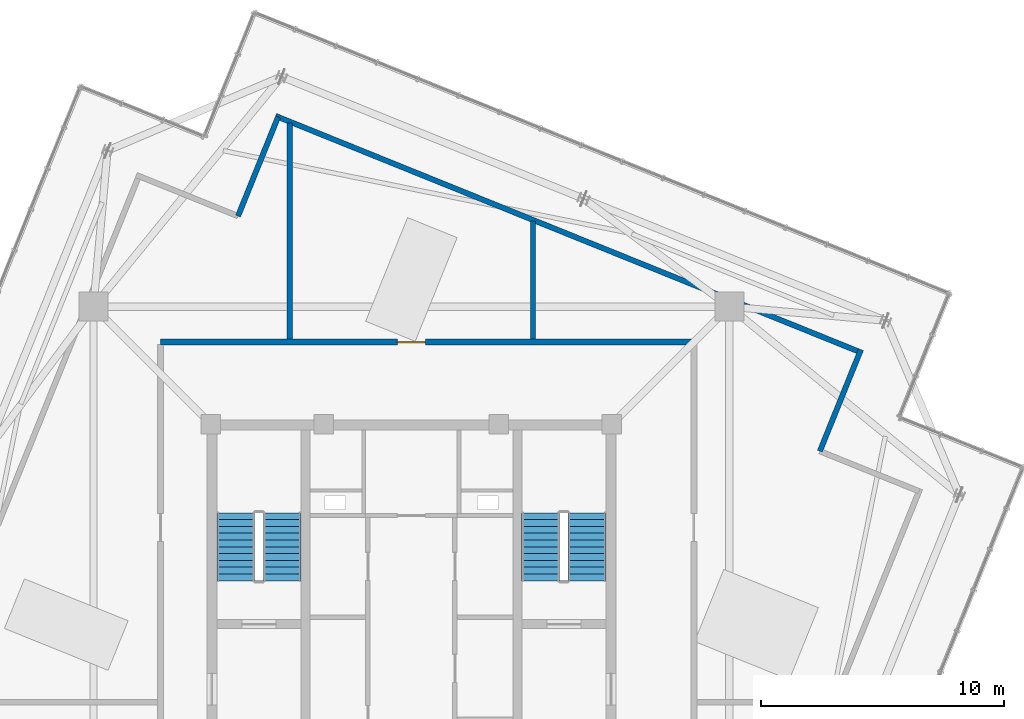
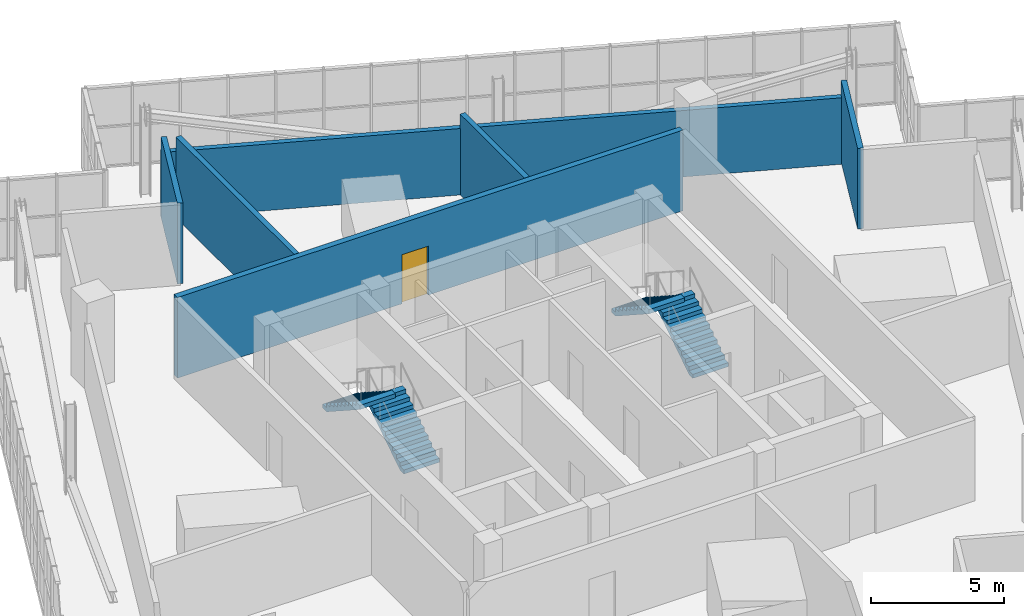
# One storey, part 24 of 26: 6 walls, 4 stair flights, 1 door, 1 opening, 2 elements without a shape of their own.
"""IFC4 building model written with IfcOpenShell, lengths in metres."""

from ifc_helpers import new_model, si_unit, direction, frame, frame_2d, origin, place, context, subcontext, project, spatial, polyline, rectangle, outline, extrude, source, transform, mapped, material, layer, layer_set, type_object, element, fill, aggregate, save


model = new_model("IFC4")

# Units and contexts
model_context = context("Model", 3, precision=1e-05, world=origin(), true_north=direction((0.0, 1.0)))
body_context = subcontext(model_context, "Body", "Model", "MODEL_VIEW")
ifc_project = project(units=[si_unit("LENGTHUNIT", "METRE"), si_unit("AREAUNIT", "SQUARE_METRE"), si_unit("VOLUMEUNIT", "CUBIC_METRE"), si_unit("PLANEANGLEUNIT", "RADIAN"), si_unit("MASSUNIT", "GRAM", prefix="KILO"), si_unit("THERMODYNAMICTEMPERATUREUNIT", "KELVIN")], contexts=[model_context])

# Site, building, storey
site_placement = place(None, origin())
site = spatial("IfcSite", under=ifc_project, at=site_placement, CompositionType="ELEMENT")
building_placement = place(site_placement, origin())
building = spatial("IfcBuilding", under=site, at=building_placement, Name="Kosmvard Interchange Tower", CompositionType="ELEMENT")
storey_placement = place(building_placement, frame((0.0, 0.0, 333.60009765625)))
storey = spatial("IfcBuildingStorey", under=building, at=storey_placement, Name="L82", CompositionType="ELEMENT", Elevation=333.60009765625)

# Wall, opening, door
ifc_material_1 = material(Name="Concrete blockwork masonry", Category="masonry")
ifc_layer_1 = layer(ifc_material_1, 0.25, Name="Concrete blockwork masonry")
ifc_layer_set_1 = layer_set([ifc_layer_1], Name="Concrete blockwork masonry")
wall_type_1 = type_object("IfcWallType", Name="Exit Passage & Firefighting Lobby Wall 250", PredefinedType="PARTITIONING", material=ifc_layer_set_1)
wall_1_placement = place(storey_placement, frame((-10.320068359375, 11.6201171875, 0.0), z_axis=(0.0, 0.0, 1.0), x_axis=(1.0, 0.0, 0.0)))
wall_1 = element("IfcWall", 1, at=wall_1_placement, inside=storey, type_object=wall_type_1, Name="L82 Corridor Wall CN", PredefinedType="PARTITIONING", context=body_context, shape_type="SweptSolid", body=[
    extrude(rectangle(XDim=21.940185546875, YDim=0.25, at=frame_2d((10.97021484375, 0.0))), origin(), (0.0, 0.0, 1.0), 3.699951171875),
])
opening_placement = place(wall_1_placement, frame((9.7451171875, 0.0, 0.0)))
opening = element("IfcOpeningElement", 2, at=opening_placement, cuts=wall_1, Name="Opening L82-D01", PredefinedType="OPENING", context=body_context, shape_type="SweptSolid", body=[
    extrude(rectangle(XDim=1.14990234375, YDim=2.25, at=frame_2d((0.574951171875, 1.125))), frame((0.0, 0.135009765625, 0.0), z_axis=(0.0, -1.0, 0.0), x_axis=(1.0, 0.0, 0.0)), (0.0, 0.0, 1.0), 0.27001953125),
])
ifc_material_2 = material(Name="Painted fire-rated steel leaf", Category="steel")
door_type = type_object("IfcDoorType", Name="Plant & Riser Fire Door 1150x2250 EI60", OperationType="NOTDEFINED", PredefinedType="DOOR", material=ifc_material_2)
shared_shape_1 = source(origin(), body_context, "Body", "SweptSolid", [
    extrude(rectangle(XDim=1.14990234375, YDim=2.25, at=frame_2d((0.574951171875, 1.125))), frame((0.0, 0.02490234375, 0.0), z_axis=(0.0, -1.0, 0.0), x_axis=(1.0, 0.0, 0.0)), (0.0, 0.0, 1.0), 0.050048828125),
])
door_placement = place(opening_placement, origin())
door = element("IfcDoor", 3, at=door_placement, inside=storey, type_object=door_type, Name="L82 North Cooling Tower Plant Room Door", OperationType="SINGLE_SWING_LEFT", OverallHeight=2.25, OverallWidth=1.14990234375, PredefinedType="DOOR", context=body_context, shape_type="MappedRepresentation", body=[
    mapped(shared_shape_1, transform((0.0, 0.0, 0.0), scale=1.0)),
])
fill(opening, door)

# Walls
ifc_layer_2 = layer(ifc_material_1, 0.219970703125, Name="Concrete blockwork masonry")
ifc_layer_set_2 = layer_set([ifc_layer_2], Name="Concrete blockwork masonry")
wall_type_2 = type_object("IfcWallType", Name="Riser & Plant Enclosure Wall 220", PredefinedType="PARTITIONING", material=ifc_layer_set_2)
wall_2_placement = place(storey_placement, frame((16.80615234375, 7.1337890625, 0.0), z_axis=(0.0, 0.0, 1.0), x_axis=(0.374599091925, 0.927186885331, 0.0)))
element("IfcWall", 4, at=wall_2_placement, inside=storey, type_object=wall_type_2, Name="L82 Crown Plant Enclosure Wall SE2", PredefinedType="PARTITIONING", context=body_context, shape_type="SweptSolid", body=[
    extrude(rectangle(XDim=4.510009765625, YDim=0.219970703125, at=frame_2d((2.2548828125, 0.0))), origin(), (0.0, 0.0, 1.0), 3.699951171875),
])
wall_3_placement = place(storey_placement, frame((18.556396484375, 11.172119140625, 0.0), z_axis=(0.0, 0.0, 1.0), x_axis=(-0.927181788521, 0.374611707018, 0.0)))
element("IfcWall", 5, at=wall_3_placement, inside=storey, type_object=wall_type_2, Name="L82 Crown Plant Enclosure Wall E", PredefinedType="PARTITIONING", context=body_context, shape_type="SweptSolid", body=[
    extrude(rectangle(XDim=26.0400390625, YDim=0.219970703125, at=frame_2d((13.02001953125, 0.0))), origin(), (0.0, 0.0, 1.0), 3.0498046875),
])
wall_4_placement = place(storey_placement, frame((-5.485595703125, 20.8857421875, 0.0), z_axis=(0.0, 0.0, 1.0), x_axis=(-0.374593321469, -0.927189216671, 0.0)))
element("IfcWall", 6, at=wall_4_placement, inside=storey, type_object=wall_type_2, Name="L82 Crown Plant Enclosure Wall NE1", PredefinedType="PARTITIONING", context=body_context, shape_type="SweptSolid", body=[
    extrude(rectangle(XDim=4.39990234375, YDim=0.219970703125, at=frame_2d((2.199951171875, 0.0))), origin(), (0.0, 0.0, 1.0), 3.699951171875),
])
wall_5_placement = place(storey_placement, frame((-5.0, 11.75, 0.0), z_axis=(0.0, 0.0, 1.0), x_axis=(0.0, 1.0, 0.0)))
element("IfcWall", 7, at=wall_5_placement, inside=storey, type_object=wall_type_2, Name="L82 Room Partition 01.1", PredefinedType="PARTITIONING", context=body_context, shape_type="SweptSolid", body=[
    extrude(rectangle(XDim=8.89111328125, YDim=0.219970703125, at=frame_2d((4.445556640625, 0.0))), origin(), (0.0, 0.0, 1.0), 3.699951171875),
])
wall_6_placement = place(storey_placement, frame((5.0, 11.75, 0.0), z_axis=(0.0, 0.0, 1.0), x_axis=(0.0, 1.0, 0.0)))
element("IfcWall", 8, at=wall_6_placement, inside=storey, type_object=wall_type_2, Name="L82 Room Partition 02.1", PredefinedType="PARTITIONING", context=body_context, shape_type="SweptSolid", body=[
    extrude(rectangle(XDim=4.850830078125, YDim=0.219970703125, at=frame_2d((2.42529296875, 0.0))), origin(), (0.0, 0.0, 1.0), 3.699951171875),
])

# Stair, stair flights
ifc_material_3 = material(Name="Concrete C50/60", Category="concrete")
stair_type = type_object("IfcStairType", Name="Dog-Leg Core Exit Stair H4000 C50/60", PredefinedType="HALF_TURN_STAIR", material=ifc_material_3)
stair_1_placement = place(storey_placement, origin())
stair_1 = element("IfcStair", 9, at=stair_1_placement, inside=storey, type_object=stair_type, Name="L82 Protected Exit Stair ST-1", PredefinedType="HALF_TURN_STAIR")
stair_flight_type = type_object("IfcStairFlightType", Name="Core Stair Flight W1550 H4000 C50/60", PredefinedType="STRAIGHT", material=ifc_material_3)
shared_shape_2 = source(origin(), body_context, "Body", "SweptSolid", [
    extrude(outline(polyline([(0.0, 0.0), (0.0, 0.181884765625), (0.280029296875, 0.181884765625), (0.280029296875, 0.363525390625), (0.56005859375, 0.363525390625), (0.56005859375, 0.54541015625), (0.840087890625, 0.54541015625), (0.840087890625, 0.727294921875), (1.1201171875, 0.727294921875), (1.1201171875, 0.9091796875), (1.39990234375, 0.9091796875), (1.39990234375, 1.0908203125), (1.679931640625, 1.0908203125), (1.679931640625, 1.272705078125), (1.9599609375, 1.272705078125), (1.9599609375, 1.45458984375), (2.239990234375, 1.45458984375), (2.239990234375, 1.636474609375), (2.52001953125, 1.636474609375), (2.52001953125, 1.818115234375), (2.800048828125, 1.818115234375), (2.800048828125, 2.0), (2.800048828125, 1.62744140625), (0.293701171875, 0.0), (0.0, 0.0)])), frame((0.0, 0.77490234375, 0.0), z_axis=(0.0, -1.0, 0.0), x_axis=(1.0, 0.0, 0.0)), (0.0, 0.0, 1.0), 1.550048828125),
])
stair_flight_1_placement = place(storey_placement, frame((-5.31494140625, 1.800048828125, 0.0), z_axis=(0.0, 0.0, 1.0), x_axis=(0.0, 1.0, 0.0)))
stair_flight_1 = element("IfcStairFlight", 10, at=stair_flight_1_placement, type_object=stair_flight_type, Name="ST-1 flight 1", NumberOfRisers=11, NumberOfTreads=10, PredefinedType="STRAIGHT", RiserHeight=0.181818182, TreadLength=0.28, context=body_context, shape_type="MappedRepresentation", body=[
    mapped(shared_shape_2, transform((0.0, 0.0, 0.0), scale=1.0)),
])
stair_flight_2_placement = place(storey_placement, frame((-7.22509765625, 4.60009765625, 2.0), z_axis=(0.0, 0.0, 1.0), x_axis=(0.0, -1.0, 0.0)))
stair_flight_2 = element("IfcStairFlight", 11, at=stair_flight_2_placement, type_object=stair_flight_type, Name="ST-1 flight 2", NumberOfRisers=11, NumberOfTreads=10, PredefinedType="STRAIGHT", RiserHeight=0.181818182, TreadLength=0.28, context=body_context, shape_type="MappedRepresentation", body=[
    mapped(shared_shape_2, transform((0.0, 0.0, 0.0), scale=1.0)),
])
aggregate(stair_1, [stair_flight_1, stair_flight_2])

stair_2_placement = place(storey_placement, origin())
stair_2 = element("IfcStair", 12, at=stair_2_placement, inside=storey, type_object=stair_type, Name="L82 Protected Exit Stair ST-2", PredefinedType="HALF_TURN_STAIR")
stair_flight_3_placement = place(storey_placement, frame((7.22509765625, 1.800048828125, 0.0), z_axis=(0.0, 0.0, 1.0), x_axis=(0.0, 1.0, 0.0)))
stair_flight_3 = element("IfcStairFlight", 13, at=stair_flight_3_placement, type_object=stair_flight_type, Name="ST-2 flight 1", NumberOfRisers=11, NumberOfTreads=10, PredefinedType="STRAIGHT", RiserHeight=0.181818182, TreadLength=0.28, context=body_context, shape_type="MappedRepresentation", body=[
    mapped(shared_shape_2, transform((0.0, 0.0, 0.0), scale=1.0)),
])
stair_flight_4_placement = place(storey_placement, frame((5.31494140625, 4.60009765625, 2.0), z_axis=(0.0, 0.0, 1.0), x_axis=(0.0, -1.0, 0.0)))
stair_flight_4 = element("IfcStairFlight", 14, at=stair_flight_4_placement, type_object=stair_flight_type, Name="ST-2 flight 2", NumberOfRisers=11, NumberOfTreads=10, PredefinedType="STRAIGHT", RiserHeight=0.181818182, TreadLength=0.28, context=body_context, shape_type="MappedRepresentation", body=[
    mapped(shared_shape_2, transform((0.0, 0.0, 0.0), scale=1.0)),
])
aggregate(stair_2, [stair_flight_3, stair_flight_4])

save(model, "model.ifc")
